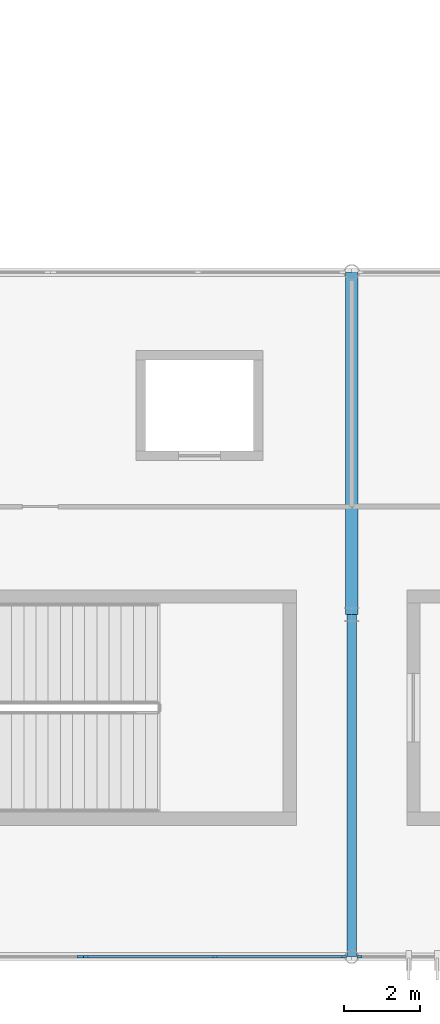
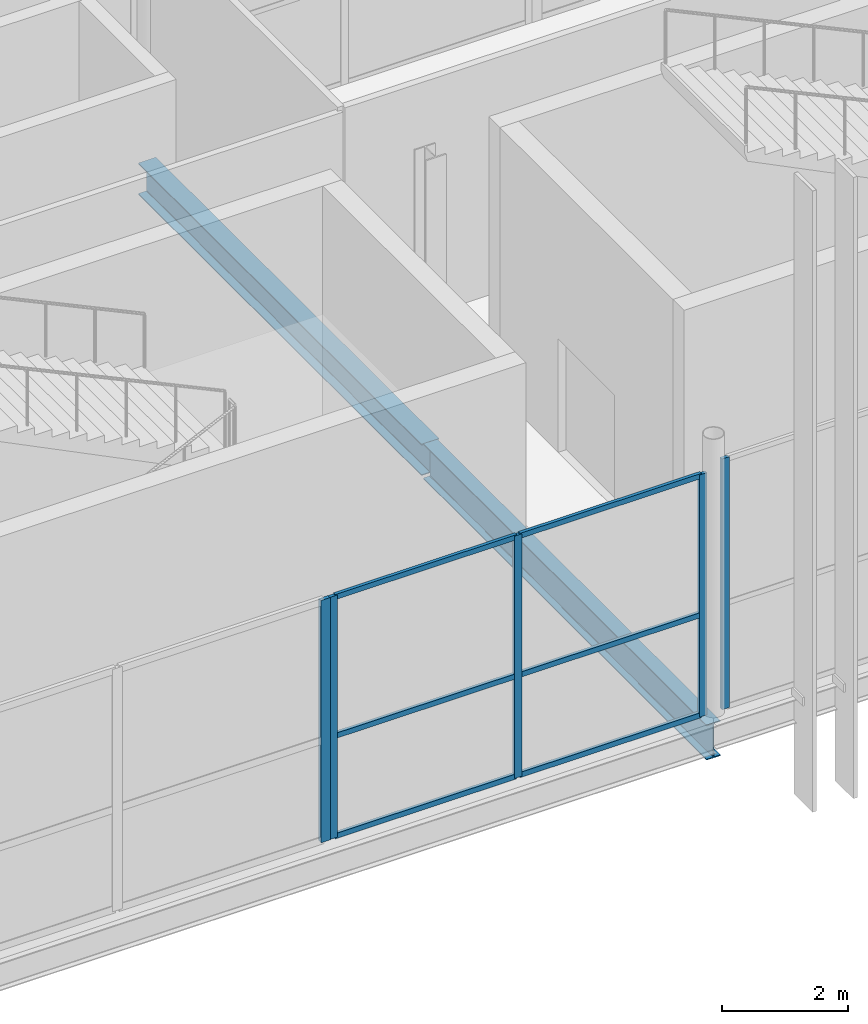
# One storey, part 25 of 119: 11 members, 2 beams, 3 elements without a shape of their own.
"""IFC4 building model written with IfcOpenShell, lengths in metres."""

from ifc_helpers import new_model, si_unit, direction, frame, origin, origin_2d, place, context, subcontext, project, spatial, rectangle, i_section, extrude, material, layer, layer_set, material_profile, profile_set, type_object, element, aggregate, save


model = new_model("IFC4")

# Units and contexts
model_context = context("Model", 3, precision=1e-05, world=origin(), true_north=direction((0.0, 1.0)))
body_context = subcontext(model_context, "Body", "Model", "MODEL_VIEW")
ifc_project = project(units=[si_unit("LENGTHUNIT", "METRE"), si_unit("AREAUNIT", "SQUARE_METRE"), si_unit("VOLUMEUNIT", "CUBIC_METRE"), si_unit("PLANEANGLEUNIT", "RADIAN"), si_unit("MASSUNIT", "GRAM", prefix="KILO")], contexts=[model_context])

# Site, building, storey
site_placement = place(None, origin())
site = spatial("IfcSite", under=ifc_project, at=site_placement, CompositionType="ELEMENT")
building_placement = place(site_placement, origin())
building = spatial("IfcBuilding", under=site, at=building_placement, Name="Qamarlyn Nura Convention Centre", CompositionType="ELEMENT")
storey_placement = place(building_placement, frame((0.0, 0.0, 5.39990234375)))
storey = spatial("IfcBuildingStorey", under=building, at=storey_placement, Name="L01", CompositionType="ELEMENT", Elevation=5.39990234375)

# Beams
ifc_material_1 = material(Name="Steel ASTM A992", Category="steel")
ifc_material_profile_1 = material_profile(ifc_material_1, i_section(OverallWidth=0.323974609375, OverallDepth=0.611083984375, WebThickness=0.0126953125, FlangeThickness=0.01904296875, FilletRadius=0.01611328125, at=origin_2d()), Name="W610X155")
ifc_profile_set_1 = profile_set([ifc_material_profile_1], Name="Steel ASTM A992")
beam_type_1 = type_object("IfcBeamType", Name="BM-GIRD-610", PredefinedType="BEAM", material=ifc_profile_set_1)
beam_1_placement = place(storey_placement, frame((90.0, 9.0, -0.525390625), z_axis=(0.0, 1.0, 0.0), x_axis=(-1.0, 0.0, 0.0)))
element("IfcBeam", 1, at=beam_1_placement, inside=storey, type_object=beam_type_1, Name="L01 girder 7 B-C", PredefinedType="BEAM", context=body_context, shape_type="SweptSolid", body=[
    extrude(i_section(OverallWidth=0.323974609375, OverallDepth=0.611083984375, WebThickness=0.0126953125, FlangeThickness=0.01904296875, FilletRadius=0.01611328125, at=origin_2d()), origin(), (0.0, 0.0, 1.0), 9.0),
])
ifc_material_profile_2 = material_profile(ifc_material_1, i_section(OverallWidth=0.25390625, OverallDepth=0.68408203125, WebThickness=0.012451171875, FlangeThickness=0.01904296875, FilletRadius=0.01806640625, at=origin_2d()), Name="W690X140")
ifc_profile_set_2 = profile_set([ifc_material_profile_2], Name="Steel ASTM A992")
beam_type_2 = type_object("IfcBeamType", Name="BM-GIRD-690B", PredefinedType="BEAM", material=ifc_profile_set_2)
beam_2_placement = place(storey_placement, frame((90.0, 0.0, -0.56201171875), z_axis=(0.0, 1.0, 0.0), x_axis=(-1.0, 0.0, 0.0)))
element("IfcBeam", 2, at=beam_2_placement, inside=storey, type_object=beam_type_2, Name="L01 girder 7 A-B", PredefinedType="BEAM", context=body_context, shape_type="SweptSolid", body=[
    extrude(i_section(OverallWidth=0.25390625, OverallDepth=0.68408203125, WebThickness=0.012451171875, FlangeThickness=0.01904296875, FilletRadius=0.01806640625, at=origin_2d()), origin(), (0.0, 0.0, 1.0), 9.0),
])

# Curtain wall, members
ifc_material_2 = material(Name="Double-silver low-E insulated glass", Category="glass")
ifc_layer_1 = layer(ifc_material_2, 0.179931640625, Name="CW-UNIT-11")
ifc_layer_set_1 = layer_set([ifc_layer_1], Name="Double-silver low-E insulated glass")
curtain_wall_type_1 = type_object("IfcCurtainWallType", Name="CW-UNIT-11", PredefinedType="NOTDEFINED", material=ifc_layer_set_1)
curtain_wall_1_placement = place(storey_placement, origin())
curtain_wall_1 = element("IfcCurtainWall", 3, at=curtain_wall_1_placement, inside=storey, type_object=curtain_wall_type_1, Name="L01 unitised curtain wall SF-S2-1A", PredefinedType="NOTDEFINED")
ifc_material_3 = material(Name="Champagne-anodised marine aluminium", Category="aluminium")
ifc_material_profile_3 = material_profile(ifc_material_3, rectangle(XDim=0.06005859375, YDim=0.139892578125, at=origin_2d()), Name="ALU MULLION 60x140")
ifc_profile_set_3 = profile_set([ifc_material_profile_3], Name="Champagne-anodised marine aluminium")
member_type_1 = type_object("IfcMemberType", Name="CWM-140", PredefinedType="MULLION", material=ifc_profile_set_3)
member_1_placement = place(storey_placement, frame((89.792236328125, 0.0, 0.0), z_axis=(0.0, 0.0, 1.0), x_axis=(0.0, -1.0, 0.0)))
member_1 = element("IfcMember", 4, at=member_1_placement, type_object=member_type_1, Name="CW11 mullion 1", PredefinedType="MULLION", context=body_context, shape_type="SweptSolid", body=[
    extrude(rectangle(XDim=0.06005859375, YDim=0.139892578125, at=origin_2d()), origin(), (0.0, 0.0, 1.0), 4.69921875),
])
member_2_placement = place(storey_placement, frame((86.40234375, 0.0, 0.0), z_axis=(0.0, 0.0, 1.0), x_axis=(0.0, -1.0, 0.0)))
member_2 = element("IfcMember", 5, at=member_2_placement, type_object=member_type_1, Name="CW11 mullion 2", PredefinedType="MULLION", context=body_context, shape_type="SweptSolid", body=[
    extrude(rectangle(XDim=0.06005859375, YDim=0.139892578125, at=origin_2d()), origin(), (0.0, 0.0, 1.0), 4.69921875),
])
member_3_placement = place(storey_placement, frame((83.012451171875, 0.0, 0.0), z_axis=(0.0, 0.0, 1.0), x_axis=(0.0, -1.0, 0.0)))
member_3 = element("IfcMember", 6, at=member_3_placement, type_object=member_type_1, Name="CW11 mullion 3", PredefinedType="MULLION", context=body_context, shape_type="SweptSolid", body=[
    extrude(rectangle(XDim=0.06005859375, YDim=0.139892578125, at=origin_2d()), origin(), (0.0, 0.0, 1.0), 4.69921875),
])

# Curtain wall, member
ifc_layer_2 = layer(ifc_material_2, 0.179931640625, Name="CW-UNIT-14")
ifc_layer_set_2 = layer_set([ifc_layer_2], Name="Double-silver low-E insulated glass")
curtain_wall_type_2 = type_object("IfcCurtainWallType", Name="CW-UNIT-14", PredefinedType="NOTDEFINED", material=ifc_layer_set_2)
curtain_wall_2_placement = place(storey_placement, origin())
curtain_wall_2 = element("IfcCurtainWall", 7, at=curtain_wall_2_placement, inside=storey, type_object=curtain_wall_type_2, Name="L01 unitised curtain wall SF-S3-1B", PredefinedType="NOTDEFINED")
member_4_placement = place(storey_placement, frame((90.207763671875, 0.0, 0.0), z_axis=(0.0, 0.0, 1.0), x_axis=(0.0, -1.0, 0.0)))
member_4 = element("IfcMember", 8, at=member_4_placement, type_object=member_type_1, Name="CW14 mullion 3", PredefinedType="MULLION", context=body_context, shape_type="SweptSolid", body=[
    extrude(rectangle(XDim=0.06005859375, YDim=0.139892578125, at=origin_2d()), origin(), (0.0, 0.0, 1.0), 4.864990234375),
])
aggregate(curtain_wall_2, [member_4])

ifc_layer_3 = layer(ifc_material_2, 0.179931640625, Name="CW-UNIT-12")
ifc_layer_set_3 = layer_set([ifc_layer_3], Name="Double-silver low-E insulated glass")
curtain_wall_type_3 = type_object("IfcCurtainWallType", Name="CW-UNIT-12", PredefinedType="NOTDEFINED", material=ifc_layer_set_3)
curtain_wall_3_placement = place(storey_placement, origin())
curtain_wall_3 = element("IfcCurtainWall", 9, at=curtain_wall_3_placement, inside=storey, type_object=curtain_wall_type_3, Name="L01 unitised curtain wall SF-S2-1B", PredefinedType="NOTDEFINED")
ifc_material_profile_4 = material_profile(ifc_material_3, rectangle(XDim=0.070068359375, YDim=0.179931640625, at=origin_2d()), Name="ALU MULLION 70x180")
ifc_profile_set_4 = profile_set([ifc_material_profile_4], Name="Champagne-anodised marine aluminium")
member_type_2 = type_object("IfcMemberType", Name="CWM-180", PredefinedType="MULLION", material=ifc_profile_set_4)
member_5_placement = place(storey_placement, frame((82.867431640625, 0.0, 0.0), z_axis=(0.0, 0.0, 1.0), x_axis=(0.0, -1.0, 0.0)))
member_5 = element("IfcMember", 10, at=member_5_placement, type_object=member_type_2, Name="CW12 mullion 1", PredefinedType="MULLION", context=body_context, shape_type="SweptSolid", body=[
    extrude(rectangle(XDim=0.070068359375, YDim=0.179931640625, at=origin_2d()), origin(), (0.0, 0.0, 1.0), 4.69921875),
])
aggregate(curtain_wall_3, [member_5])

# Member
ifc_material_profile_5 = material_profile(ifc_material_3, rectangle(XDim=0.06005859375, YDim=0.10009765625, at=origin_2d()), Name="ALU TRANSOM 60x100")
ifc_profile_set_5 = profile_set([ifc_material_profile_5], Name="Champagne-anodised marine aluminium")
member_type_3 = type_object("IfcMemberType", Name="CWT-100", PredefinedType="USERDEFINED", material=ifc_profile_set_5)
member_6_placement = place(storey_placement, frame((89.76220703125, 0.0, 0.030029296875), z_axis=(-1.0, 0.0, 0.0), x_axis=(0.0, -1.0, 0.0)))
member_6 = element("IfcMember", 11, at=member_6_placement, type_object=member_type_3, Name="CW11 transom 1.1", ObjectType="TRANSOM", PredefinedType="USERDEFINED", context=body_context, shape_type="SweptSolid", body=[
    extrude(rectangle(XDim=0.06005859375, YDim=0.10009765625, at=origin_2d()), origin(), (0.0, 0.0, 1.0), 3.329833984375),
])

member_7_placement = place(storey_placement, frame((89.76220703125, 0.0, 1.97412109375), z_axis=(-1.0, 0.0, 0.0), x_axis=(0.0, -1.0, 0.0)))
member_7 = element("IfcMember", 12, at=member_7_placement, type_object=member_type_3, Name="CW11 transom 1.2", ObjectType="TRANSOM", PredefinedType="USERDEFINED", context=body_context, shape_type="SweptSolid", body=[
    extrude(rectangle(XDim=0.06005859375, YDim=0.10009765625, at=origin_2d()), origin(), (0.0, 0.0, 1.0), 3.329833984375),
])

member_8_placement = place(storey_placement, frame((89.76220703125, 0.0, 4.669189453125), z_axis=(-1.0, 0.0, 0.0), x_axis=(0.0, -1.0, 0.0)))
member_8 = element("IfcMember", 13, at=member_8_placement, type_object=member_type_3, Name="CW11 transom 1.3", ObjectType="TRANSOM", PredefinedType="USERDEFINED", context=body_context, shape_type="SweptSolid", body=[
    extrude(rectangle(XDim=0.06005859375, YDim=0.10009765625, at=origin_2d()), origin(), (0.0, 0.0, 1.0), 3.329833984375),
])

member_9_placement = place(storey_placement, frame((86.372314453125, 0.0, 0.030029296875), z_axis=(-1.0, 0.0, 0.0), x_axis=(0.0, -1.0, 0.0)))
member_9 = element("IfcMember", 14, at=member_9_placement, type_object=member_type_3, Name="CW11 transom 2.1", ObjectType="TRANSOM", PredefinedType="USERDEFINED", context=body_context, shape_type="SweptSolid", body=[
    extrude(rectangle(XDim=0.06005859375, YDim=0.10009765625, at=origin_2d()), origin(), (0.0, 0.0, 1.0), 3.329833984375),
])

member_10_placement = place(storey_placement, frame((86.372314453125, 0.0, 1.97412109375), z_axis=(-1.0, 0.0, 0.0), x_axis=(0.0, -1.0, 0.0)))
member_10 = element("IfcMember", 15, at=member_10_placement, type_object=member_type_3, Name="CW11 transom 2.2", ObjectType="TRANSOM", PredefinedType="USERDEFINED", context=body_context, shape_type="SweptSolid", body=[
    extrude(rectangle(XDim=0.06005859375, YDim=0.10009765625, at=origin_2d()), origin(), (0.0, 0.0, 1.0), 3.329833984375),
])

member_11_placement = place(storey_placement, frame((86.372314453125, 0.0, 4.669189453125), z_axis=(-1.0, 0.0, 0.0), x_axis=(0.0, -1.0, 0.0)))
member_11 = element("IfcMember", 16, at=member_11_placement, type_object=member_type_3, Name="CW11 transom 2.3", ObjectType="TRANSOM", PredefinedType="USERDEFINED", context=body_context, shape_type="SweptSolid", body=[
    extrude(rectangle(XDim=0.06005859375, YDim=0.10009765625, at=origin_2d()), origin(), (0.0, 0.0, 1.0), 3.329833984375),
])

aggregate(curtain_wall_1, [member_1, member_2, member_3, member_6, member_7, member_8, member_9, member_10, member_11])

save(model, "model.ifc")
